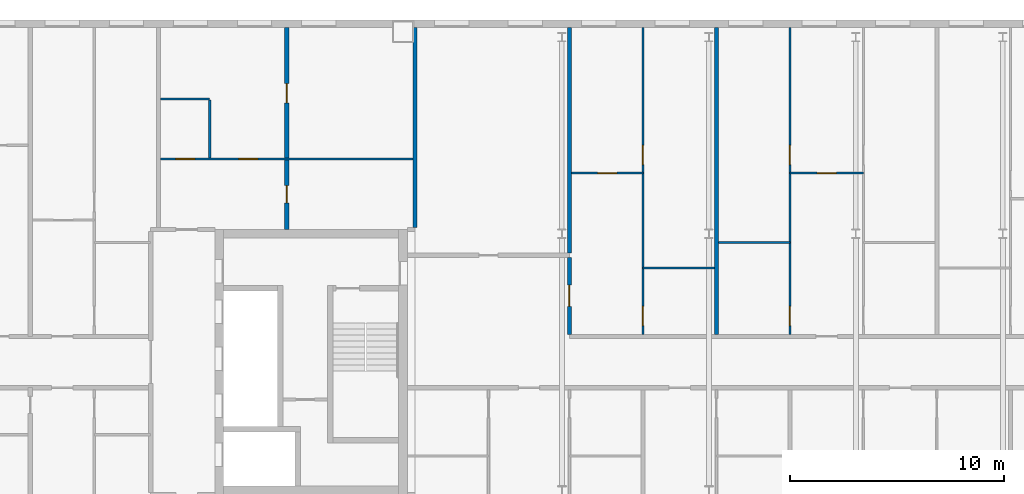
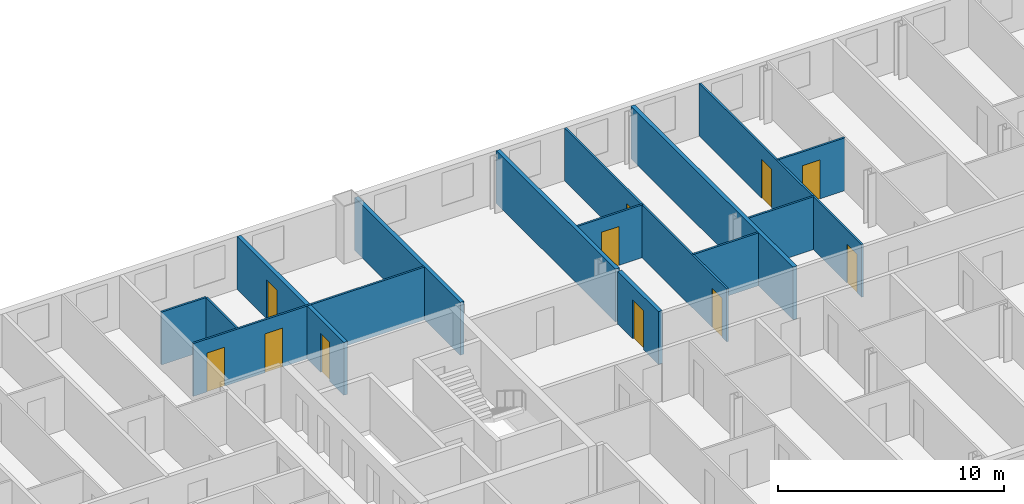
# One storey, part 9 of 19: 14 walls, 11 doors, 11 openings.
"""IFC4 building model written with IfcOpenShell, lengths in metres."""

from ifc_helpers import new_model, si_unit, direction, frame, frame_2d, origin, place, context, subcontext, project, spatial, rectangle, extrude, material, layer, layer_set, type_object, element, fill, save


model = new_model("IFC4")

# Units and contexts
model_context = context("Model", 3, precision=1e-05, world=origin(), true_north=direction((0.0, 1.0)))
body_context = subcontext(model_context, "Body", "Model", "MODEL_VIEW")
ifc_project = project(units=[si_unit("LENGTHUNIT", "METRE"), si_unit("AREAUNIT", "SQUARE_METRE"), si_unit("VOLUMEUNIT", "CUBIC_METRE"), si_unit("PLANEANGLEUNIT", "RADIAN"), si_unit("MASSUNIT", "GRAM", prefix="KILO")], contexts=[model_context])

# Site, building, storey
site_placement = place(None, origin())
site = spatial("IfcSite", under=ifc_project, at=site_placement, CompositionType="ELEMENT")
building_placement = place(site_placement, origin())
building = spatial("IfcBuilding", under=site, at=building_placement, Name="Tuart Gate Housing", CompositionType="ELEMENT")
storey_placement = place(building_placement, frame((0.0, 0.0, 233.800048828125)))
storey = spatial("IfcBuildingStorey", under=building, at=storey_placement, Name="L66", CompositionType="ELEMENT", Elevation=233.800048828125)

# Wall, opening, door
ifc_material_1 = material(Name="Concrete masonry 15 MPa", Category="masonry")
ifc_layer_1 = layer(ifc_material_1, 0.199951171875)
ifc_layer_set_1 = layer_set([ifc_layer_1], Name="Corridor wall masonry 200")
wall_type_1 = type_object("IfcWallType", Name="Corridor wall masonry 200", PredefinedType="PARTITIONING", material=ifc_layer_set_1)
wall_1_placement = place(storey_placement, frame((83.22509765625, 71.300048828125, 0.0), z_axis=(0.0, 0.0, 1.0), x_axis=(0.0, 1.0, 0.0)))
wall_1 = element("IfcWall", 1, at=wall_1_placement, inside=storey, type_object=wall_type_1, Name="Corridor wall masonry 200", PredefinedType="PARTITIONING", context=body_context, shape_type="SweptSolid", body=[
    extrude(rectangle(XDim=3.599853515625, YDim=0.199951171875, at=frame_2d((1.7998046875, 0.0))), origin(), (0.0, 0.0, 1.0), 2.849853515625),
])
opening_1_placement = place(wall_1_placement, frame((1.300048828125, 0.0, 0.0)))
opening_1 = element("IfcOpeningElement", 2, at=opening_1_placement, cuts=wall_1, Name="Opening D2520", PredefinedType="OPENING", context=body_context, shape_type="SweptSolid", body=[
    extrude(rectangle(XDim=1.0, YDim=2.10009765625, at=frame_2d((0.5, 1.050048828125))), frame((0.0, 0.10986328125, 0.0), z_axis=(0.0, -1.0, 0.0), x_axis=(1.0, 0.0, 0.0)), (0.0, 0.0, 1.0), 0.219970703125),
])
ifc_material_2 = material(Name="Timber door leaf in steel frame", Category="steel")
door_type_1 = type_object("IfcDoorType", Name="Flat entrance door 1000 RH", OperationType="SINGLE_SWING_RIGHT", PredefinedType="DOOR", material=ifc_material_2)
door_1_placement = place(opening_1_placement, frame((1.0, 0.0, 0.0), z_axis=(0.0, 0.0, 1.0), x_axis=(-1.0, 0.0, 0.0)))
door_1 = element("IfcDoor", 3, at=door_1_placement, inside=storey, type_object=door_type_1, Name="Flat entrance door", OperationType="SINGLE_SWING_RIGHT", OverallHeight=2.10009765625, OverallWidth=1.0, PredefinedType="DOOR", context=body_context, shape_type="SweptSolid", body=[
    extrude(rectangle(XDim=1.0, YDim=2.10009765625, at=frame_2d((0.5, 1.050048828125))), frame((0.0, 0.025146484375, 0.0), z_axis=(0.0, -1.0, 0.0), x_axis=(1.0, 0.0, 0.0)), (0.0, 0.0, 1.0), 0.050048828125),
])
fill(opening_1, door_1)

# Walls
ifc_material_3 = material(Name="Gypsum board on steel studs", Category="steel")
ifc_layer_2 = layer(ifc_material_3, 0.10009765625)
ifc_layer_set_2 = layer_set([ifc_layer_2], Name="Partition 100")
wall_type_2 = type_object("IfcWallType", Name="Partition 100", PredefinedType="PARTITIONING", material=ifc_layer_set_2)
wall_2_placement = place(storey_placement, frame((86.662109375, 74.39990234375, 0.0), z_axis=(0.0, 0.0, 1.0), x_axis=(1.0, 0.0, 0.0)))
element("IfcWall", 4, at=wall_2_placement, inside=storey, type_object=wall_type_2, Name="Partition 100", PredefinedType="PARTITIONING", context=body_context, shape_type="SweptSolid", body=[
    extrude(rectangle(XDim=3.337890625, YDim=0.10009765625, at=frame_2d((1.6689453125, 0.0))), origin(), (0.0, 0.0, 1.0), 2.849853515625),
])
wall_3_placement = place(storey_placement, frame((90.199951171875, 75.60009765625, 0.0), z_axis=(0.0, 0.0, 1.0), x_axis=(1.0, 0.0, 0.0)))
element("IfcWall", 5, at=wall_3_placement, inside=storey, type_object=wall_type_2, Name="Partition 100", PredefinedType="PARTITIONING", context=body_context, shape_type="SweptSolid", body=[
    extrude(rectangle(XDim=3.337158203125, YDim=0.10009765625, at=frame_2d((1.66845703125, 0.0))), origin(), (0.0, 0.0, 1.0), 2.849853515625),
])

# Wall, opening, door
wall_4_placement = place(storey_placement, frame((83.324951171875, 78.840087890625, 0.0), z_axis=(0.0, 0.0, 1.0), x_axis=(1.0, 0.0, 0.0)))
wall_4 = element("IfcWall", 6, at=wall_4_placement, inside=storey, type_object=wall_type_2, Name="Partition 100", PredefinedType="PARTITIONING", context=body_context, shape_type="SweptSolid", body=[
    extrude(rectangle(XDim=3.337158203125, YDim=0.10009765625, at=frame_2d((1.66845703125, 0.0))), origin(), (0.0, 0.0, 1.0), 2.849853515625),
])
opening_2_placement = place(wall_4_placement, frame((1.218505859375, 0.0, 0.0)))
opening_2 = element("IfcOpeningElement", 7, at=opening_2_placement, cuts=wall_4, Name="Opening D2500", PredefinedType="OPENING", context=body_context, shape_type="SweptSolid", body=[
    extrude(rectangle(XDim=0.89990234375, YDim=2.10009765625, at=frame_2d((0.449951171875, 1.050048828125))), frame((0.0, 0.06005859375, 0.0), z_axis=(0.0, -1.0, 0.0), x_axis=(1.0, 0.0, 0.0)), (0.0, 0.0, 1.0), 0.1201171875),
])
ifc_material_4 = material(Name="Timber door leaf in steel frame", Category="steel")
door_type_2 = type_object("IfcDoorType", Name="Internal door 900", OperationType="SINGLE_SWING_LEFT", PredefinedType="DOOR", material=ifc_material_4)
door_2_placement = place(opening_2_placement, frame((0.89990234375, 0.0, 0.0), z_axis=(0.0, 0.0, 1.0), x_axis=(-1.0, 0.0, 0.0)))
door_2 = element("IfcDoor", 8, at=door_2_placement, inside=storey, type_object=door_type_2, Name="Internal door", OperationType="SINGLE_SWING_LEFT", OverallHeight=2.10009765625, OverallWidth=0.89990234375, PredefinedType="DOOR", context=body_context, shape_type="SweptSolid", body=[
    extrude(rectangle(XDim=0.89990234375, YDim=2.10009765625, at=frame_2d((0.449951171875, 1.050048828125))), frame((0.0, 0.025146484375, 0.0), z_axis=(0.0, -1.0, 0.0), x_axis=(1.0, 0.0, 0.0)), (0.0, 0.0, 1.0), 0.050048828125),
])
fill(opening_2, door_2)

wall_5_placement = place(storey_placement, frame((93.537109375, 78.840087890625, 0.0), z_axis=(0.0, 0.0, 1.0), x_axis=(1.0, 0.0, 0.0)))
wall_5 = element("IfcWall", 9, at=wall_5_placement, inside=storey, type_object=wall_type_2, Name="Partition 100", PredefinedType="PARTITIONING", context=body_context, shape_type="SweptSolid", body=[
    extrude(rectangle(XDim=3.43798828125, YDim=0.10009765625, at=frame_2d((1.718994140625, 0.0))), origin(), (0.0, 0.0, 1.0), 2.849853515625),
])
opening_3_placement = place(wall_5_placement, frame((1.26904296875, 0.0, 0.0)))
opening_3 = element("IfcOpeningElement", 10, at=opening_3_placement, cuts=wall_5, Name="Opening D2501", PredefinedType="OPENING", context=body_context, shape_type="SweptSolid", body=[
    extrude(rectangle(XDim=0.89990234375, YDim=2.10009765625, at=frame_2d((0.449951171875, 1.050048828125))), frame((0.0, 0.06005859375, 0.0), z_axis=(0.0, -1.0, 0.0), x_axis=(1.0, 0.0, 0.0)), (0.0, 0.0, 1.0), 0.1201171875),
])
ifc_material_5 = material(Name="Timber door leaf in steel frame", Category="steel")
door_type_3 = type_object("IfcDoorType", Name="Internal door 900 RH", OperationType="SINGLE_SWING_RIGHT", PredefinedType="DOOR", material=ifc_material_5)
door_3_placement = place(opening_3_placement, frame((0.89990234375, 0.0, 0.0), z_axis=(0.0, 0.0, 1.0), x_axis=(-1.0, 0.0, 0.0)))
door_3 = element("IfcDoor", 11, at=door_3_placement, inside=storey, type_object=door_type_3, Name="Internal door", OperationType="SINGLE_SWING_RIGHT", OverallHeight=2.10009765625, OverallWidth=0.89990234375, PredefinedType="DOOR", context=body_context, shape_type="SweptSolid", body=[
    extrude(rectangle(XDim=0.89990234375, YDim=2.10009765625, at=frame_2d((0.449951171875, 1.050048828125))), frame((0.0, 0.025146484375, 0.0), z_axis=(0.0, -1.0, 0.0), x_axis=(1.0, 0.0, 0.0)), (0.0, 0.0, 1.0), 0.050048828125),
])
fill(opening_3, door_3)

# Wall, openings, doors
wall_6_placement = place(storey_placement, frame((64.10009765625, 79.5, 0.0), z_axis=(0.0, 0.0, 1.0), x_axis=(1.0, 0.0, 0.0)))
wall_6 = element("IfcWall", 12, at=wall_6_placement, inside=storey, type_object=wall_type_2, Name="Partition 100", PredefinedType="PARTITIONING", context=body_context, shape_type="SweptSolid", body=[
    extrude(rectangle(XDim=11.7998046875, YDim=0.10009765625, at=frame_2d((5.89990234375, 0.0))), origin(), (0.0, 0.0, 1.0), 2.849853515625),
])
opening_4_placement = place(wall_6_placement, frame((3.64990234375, 0.0, 0.0)))
opening_4 = element("IfcOpeningElement", 13, at=opening_4_placement, cuts=wall_6, Name="Opening D2451", PredefinedType="OPENING", context=body_context, shape_type="SweptSolid", body=[
    extrude(rectangle(XDim=0.89990234375, YDim=2.10009765625, at=frame_2d((0.449951171875, 1.050048828125))), frame((0.0, 0.06005859375, 0.0), z_axis=(0.0, -1.0, 0.0), x_axis=(1.0, 0.0, 0.0)), (0.0, 0.0, 1.0), 0.1201171875),
])
opening_5_placement = place(wall_6_placement, frame((0.699951171875, 0.0, 0.0)))
opening_5 = element("IfcOpeningElement", 14, at=opening_5_placement, cuts=wall_6, Name="Opening D2450", PredefinedType="OPENING", context=body_context, shape_type="SweptSolid", body=[
    extrude(rectangle(XDim=0.89990234375, YDim=2.10009765625, at=frame_2d((0.449951171875, 1.050048828125))), frame((0.0, 0.06005859375, 0.0), z_axis=(0.0, -1.0, 0.0), x_axis=(1.0, 0.0, 0.0)), (0.0, 0.0, 1.0), 0.1201171875),
])
ifc_material_6 = material(Name="Timber door leaf in steel frame", Category="steel")
door_type_4 = type_object("IfcDoorType", Name="Bathroom door 900 RH", OperationType="SINGLE_SWING_RIGHT", PredefinedType="DOOR", material=ifc_material_6)
door_4_placement = place(opening_5_placement, origin())
door_4 = element("IfcDoor", 15, at=door_4_placement, inside=storey, type_object=door_type_4, Name="Bathroom door", OperationType="SINGLE_SWING_RIGHT", OverallHeight=2.10009765625, OverallWidth=0.89990234375, PredefinedType="DOOR", context=body_context, shape_type="SweptSolid", body=[
    extrude(rectangle(XDim=0.89990234375, YDim=2.10009765625, at=frame_2d((0.449951171875, 1.050048828125))), frame((0.0, 0.02490234375, 0.0), z_axis=(0.0, -1.0, 0.0), x_axis=(1.0, 0.0, 0.0)), (0.0, 0.0, 1.0), 0.050048828125),
])
fill(opening_5, door_4)
door_5_placement = place(opening_4_placement, frame((0.89990234375, 0.0, 0.0), z_axis=(0.0, 0.0, 1.0), x_axis=(-1.0, 0.0, 0.0)))
door_5 = element("IfcDoor", 16, at=door_5_placement, inside=storey, type_object=door_type_2, Name="Internal door", OperationType="SINGLE_SWING_LEFT", OverallHeight=2.10009765625, OverallWidth=0.89990234375, PredefinedType="DOOR", context=body_context, shape_type="SweptSolid", body=[
    extrude(rectangle(XDim=0.89990234375, YDim=2.10009765625, at=frame_2d((0.449951171875, 1.050048828125))), frame((0.0, 0.025146484375, 0.0), z_axis=(0.0, -1.0, 0.0), x_axis=(1.0, 0.0, 0.0)), (0.0, 0.0, 1.0), 0.050048828125),
])
fill(opening_4, door_5)

# Walls
wall_7_placement = place(storey_placement, frame((64.10009765625, 82.300048828125, 0.0), z_axis=(0.0, 0.0, 1.0), x_axis=(1.0, 0.0, 0.0)))
element("IfcWall", 17, at=wall_7_placement, inside=storey, type_object=wall_type_2, Name="Partition 100", PredefinedType="PARTITIONING", context=body_context, shape_type="SweptSolid", body=[
    extrude(rectangle(XDim=2.2998046875, YDim=0.10009765625, at=frame_2d((1.14990234375, 0.0))), origin(), (0.0, 0.0, 1.0), 2.849853515625),
])
wall_8_placement = place(storey_placement, frame((66.39990234375, 79.550048828125, 0.0), z_axis=(0.0, 0.0, 1.0), x_axis=(0.0, 1.0, 0.0)))
element("IfcWall", 18, at=wall_8_placement, inside=storey, type_object=wall_type_2, Name="Partition 100", PredefinedType="PARTITIONING", context=body_context, shape_type="SweptSolid", body=[
    extrude(rectangle(XDim=2.699951171875, YDim=0.10009765625, at=frame_2d((1.35009765625, 0.0))), origin(), (0.0, 0.0, 1.0), 2.849853515625),
])

# Wall, openings, doors
wall_9_placement = place(storey_placement, frame((86.662109375, 71.300048828125, 0.0), z_axis=(0.0, 0.0, 1.0), x_axis=(0.0, 1.0, 0.0)))
wall_9 = element("IfcWall", 19, at=wall_9_placement, inside=storey, type_object=wall_type_2, Name="Partition 100", PredefinedType="PARTITIONING", context=body_context, shape_type="SweptSolid", body=[
    extrude(rectangle(XDim=14.33984375, YDim=0.10009765625, at=frame_2d((7.169921875, 0.0))), origin(), (0.0, 0.0, 1.0), 2.849853515625),
])
opening_6_placement = place(wall_9_placement, frame((7.93994140625, 0.0, 0.0)))
opening_6 = element("IfcOpeningElement", 20, at=opening_6_placement, cuts=wall_9, Name="Opening D2504", PredefinedType="OPENING", context=body_context, shape_type="SweptSolid", body=[
    extrude(rectangle(XDim=0.89990234375, YDim=2.10009765625, at=frame_2d((0.449951171875, 1.050048828125))), frame((0.0, 0.06005859375, 0.0), z_axis=(0.0, -1.0, 0.0), x_axis=(1.0, 0.0, 0.0)), (0.0, 0.0, 1.0), 0.1201171875),
])
opening_7_placement = place(wall_9_placement, frame((0.39990234375, 0.0, 0.0)))
opening_7 = element("IfcOpeningElement", 21, at=opening_7_placement, cuts=wall_9, Name="Opening D2503", PredefinedType="OPENING", context=body_context, shape_type="SweptSolid", body=[
    extrude(rectangle(XDim=0.89990234375, YDim=2.10009765625, at=frame_2d((0.449951171875, 1.050048828125))), frame((0.0, 0.06005859375, 0.0), z_axis=(0.0, -1.0, 0.0), x_axis=(1.0, 0.0, 0.0)), (0.0, 0.0, 1.0), 0.1201171875),
])
door_6_placement = place(opening_7_placement, frame((0.89990234375, 0.0, 0.0), z_axis=(0.0, 0.0, 1.0), x_axis=(-1.0, 0.0, 0.0)))
door_6 = element("IfcDoor", 22, at=door_6_placement, inside=storey, type_object=door_type_4, Name="Bathroom door", OperationType="SINGLE_SWING_RIGHT", OverallHeight=2.10009765625, OverallWidth=0.89990234375, PredefinedType="DOOR", context=body_context, shape_type="SweptSolid", body=[
    extrude(rectangle(XDim=0.89990234375, YDim=2.10009765625, at=frame_2d((0.449951171875, 1.050048828125))), frame((0.0, 0.025146484375, 0.0), z_axis=(0.0, -1.0, 0.0), x_axis=(1.0, 0.0, 0.0)), (0.0, 0.0, 1.0), 0.050048828125),
])
fill(opening_7, door_6)
door_7_placement = place(opening_6_placement, frame((0.89990234375, 0.0, 0.0), z_axis=(0.0, 0.0, 1.0), x_axis=(-1.0, 0.0, 0.0)))
door_7 = element("IfcDoor", 23, at=door_7_placement, inside=storey, type_object=door_type_3, Name="Internal door", OperationType="SINGLE_SWING_RIGHT", OverallHeight=2.10009765625, OverallWidth=0.89990234375, PredefinedType="DOOR", context=body_context, shape_type="SweptSolid", body=[
    extrude(rectangle(XDim=0.89990234375, YDim=2.10009765625, at=frame_2d((0.449951171875, 1.050048828125))), frame((0.0, 0.025146484375, 0.0), z_axis=(0.0, -1.0, 0.0), x_axis=(1.0, 0.0, 0.0)), (0.0, 0.0, 1.0), 0.050048828125),
])
fill(opening_6, door_7)

wall_10_placement = place(storey_placement, frame((93.537109375, 71.300048828125, 0.0), z_axis=(0.0, 0.0, 1.0), x_axis=(0.0, 1.0, 0.0)))
wall_10 = element("IfcWall", 24, at=wall_10_placement, inside=storey, type_object=wall_type_2, Name="Partition 100", PredefinedType="PARTITIONING", context=body_context, shape_type="SweptSolid", body=[
    extrude(rectangle(XDim=14.33984375, YDim=0.10009765625, at=frame_2d((7.169921875, 0.0))), origin(), (0.0, 0.0, 1.0), 2.849853515625),
])
opening_8_placement = place(wall_10_placement, frame((7.93994140625, 0.0, 0.0)))
opening_8 = element("IfcOpeningElement", 25, at=opening_8_placement, cuts=wall_10, Name="Opening D2506", PredefinedType="OPENING", context=body_context, shape_type="SweptSolid", body=[
    extrude(rectangle(XDim=0.89990234375, YDim=2.10009765625, at=frame_2d((0.449951171875, 1.050048828125))), frame((0.0, 0.06005859375, 0.0), z_axis=(0.0, -1.0, 0.0), x_axis=(1.0, 0.0, 0.0)), (0.0, 0.0, 1.0), 0.1201171875),
])
opening_9_placement = place(wall_10_placement, frame((0.39990234375, 0.0, 0.0)))
opening_9 = element("IfcOpeningElement", 26, at=opening_9_placement, cuts=wall_10, Name="Opening D2505", PredefinedType="OPENING", context=body_context, shape_type="SweptSolid", body=[
    extrude(rectangle(XDim=0.89990234375, YDim=2.10009765625, at=frame_2d((0.449951171875, 1.050048828125))), frame((0.0, 0.06005859375, 0.0), z_axis=(0.0, -1.0, 0.0), x_axis=(1.0, 0.0, 0.0)), (0.0, 0.0, 1.0), 0.1201171875),
])
ifc_material_7 = material(Name="Timber door leaf in steel frame", Category="steel")
door_type_5 = type_object("IfcDoorType", Name="Bathroom door 900", OperationType="SINGLE_SWING_LEFT", PredefinedType="DOOR", material=ifc_material_7)
door_8_placement = place(opening_9_placement, origin())
door_8 = element("IfcDoor", 27, at=door_8_placement, inside=storey, type_object=door_type_5, Name="Bathroom door", OperationType="SINGLE_SWING_LEFT", OverallHeight=2.10009765625, OverallWidth=0.89990234375, PredefinedType="DOOR", context=body_context, shape_type="SweptSolid", body=[
    extrude(rectangle(XDim=0.89990234375, YDim=2.10009765625, at=frame_2d((0.449951171875, 1.050048828125))), frame((0.0, 0.02490234375, 0.0), z_axis=(0.0, -1.0, 0.0), x_axis=(1.0, 0.0, 0.0)), (0.0, 0.0, 1.0), 0.050048828125),
])
fill(opening_9, door_8)
door_9_placement = place(opening_8_placement, origin())
door_9 = element("IfcDoor", 28, at=door_9_placement, inside=storey, type_object=door_type_2, Name="Internal door", OperationType="SINGLE_SWING_LEFT", OverallHeight=2.10009765625, OverallWidth=0.89990234375, PredefinedType="DOOR", context=body_context, shape_type="SweptSolid", body=[
    extrude(rectangle(XDim=0.89990234375, YDim=2.10009765625, at=frame_2d((0.449951171875, 1.050048828125))), frame((0.0, 0.02490234375, 0.0), z_axis=(0.0, -1.0, 0.0), x_axis=(1.0, 0.0, 0.0)), (0.0, 0.0, 1.0), 0.050048828125),
])
fill(opening_8, door_9)

ifc_material_8 = material(Name="Concrete C40", Category="concrete")
ifc_layer_3 = layer(ifc_material_8, 0.199951171875)
ifc_layer_set_3 = layer_set([ifc_layer_3], Name="Party wall concrete C40 200")
wall_type_3 = type_object("IfcWallType", Name="Party wall concrete C40 200", PredefinedType="SOLIDWALL", material=ifc_layer_set_3)
wall_11_placement = place(storey_placement, frame((70.0, 76.199951171875, 0.0), z_axis=(0.0, 0.0, 1.0), x_axis=(0.0, 1.0, 0.0)))
wall_11 = element("IfcWall", 29, at=wall_11_placement, inside=storey, type_object=wall_type_3, Name="Party wall concrete C40 200", PredefinedType="SOLIDWALL", context=body_context, shape_type="SweptSolid", body=[
    extrude(rectangle(XDim=9.43994140625, YDim=0.199951171875, at=frame_2d((4.719970703125, 0.0))), origin(), (0.0, 0.0, 1.0), 2.849853515625),
])
opening_10_placement = place(wall_11_placement, frame((5.919921875, 0.0, 0.0)))
opening_10 = element("IfcOpeningElement", 30, at=opening_10_placement, cuts=wall_11, Name="Opening D2445", PredefinedType="OPENING", context=body_context, shape_type="SweptSolid", body=[
    extrude(rectangle(XDim=0.89990234375, YDim=2.10009765625, at=frame_2d((0.449951171875, 1.050048828125))), frame((0.0, 0.10986328125, 0.0), z_axis=(0.0, -1.0, 0.0), x_axis=(1.0, 0.0, 0.0)), (0.0, 0.0, 1.0), 0.219970703125),
])
opening_11_placement = place(wall_11_placement, frame((1.25, 0.0, 0.0)))
opening_11 = element("IfcOpeningElement", 31, at=opening_11_placement, cuts=wall_11, Name="Opening D2446", PredefinedType="OPENING", context=body_context, shape_type="SweptSolid", body=[
    extrude(rectangle(XDim=0.800048828125, YDim=2.10009765625, at=frame_2d((0.39990234375, 1.050048828125))), frame((0.0, 0.10986328125, 0.0), z_axis=(0.0, -1.0, 0.0), x_axis=(1.0, 0.0, 0.0)), (0.0, 0.0, 1.0), 0.219970703125),
])
door_10_placement = place(opening_10_placement, frame((0.89990234375, 0.0, 0.0), z_axis=(0.0, 0.0, 1.0), x_axis=(-1.0, 0.0, 0.0)))
door_10 = element("IfcDoor", 32, at=door_10_placement, inside=storey, type_object=door_type_3, Name="Internal door", OperationType="SINGLE_SWING_RIGHT", OverallHeight=2.10009765625, OverallWidth=0.89990234375, PredefinedType="DOOR", context=body_context, shape_type="SweptSolid", body=[
    extrude(rectangle(XDim=0.89990234375, YDim=2.10009765625, at=frame_2d((0.449951171875, 1.050048828125))), frame((0.0, 0.025146484375, 0.0), z_axis=(0.0, -1.0, 0.0), x_axis=(1.0, 0.0, 0.0)), (0.0, 0.0, 1.0), 0.050048828125),
])
fill(opening_10, door_10)
ifc_material_9 = material(Name="Timber door leaf in steel frame", Category="steel")
door_type_6 = type_object("IfcDoorType", Name="Store door 800 RH", OperationType="SINGLE_SWING_RIGHT", PredefinedType="DOOR", material=ifc_material_9)
door_11_placement = place(opening_11_placement, frame((0.800048828125, 0.0, 0.0), z_axis=(0.0, 0.0, 1.0), x_axis=(-1.0, 0.0, 0.0)))
door_11 = element("IfcDoor", 33, at=door_11_placement, inside=storey, type_object=door_type_6, Name="Store door", OperationType="SINGLE_SWING_RIGHT", OverallHeight=2.10009765625, OverallWidth=0.800048828125, PredefinedType="DOOR", context=body_context, shape_type="SweptSolid", body=[
    extrude(rectangle(XDim=0.800048828125, YDim=2.10009765625, at=frame_2d((0.400146484375, 1.050048828125))), frame((0.0, 0.025146484375, 0.0), z_axis=(0.0, -1.0, 0.0), x_axis=(1.0, 0.0, 0.0)), (0.0, 0.0, 1.0), 0.050048828125),
])
fill(opening_11, door_11)

# Walls
ifc_material_10 = material(Name="Concrete masonry 15 MPa", Category="masonry")
ifc_layer_4 = layer(ifc_material_10, 0.199951171875)
ifc_layer_set_4 = layer_set([ifc_layer_4], Name="Party wall masonry 200")
wall_type_4 = type_object("IfcWallType", Name="Party wall masonry 200", PredefinedType="PARTITIONING", material=ifc_layer_set_4)
wall_12_placement = place(storey_placement, frame((76.0, 76.300048828125, 0.0), z_axis=(0.0, 0.0, 1.0), x_axis=(0.0, 1.0, 0.0)))
element("IfcWall", 34, at=wall_12_placement, inside=storey, type_object=wall_type_4, Name="Party wall masonry 200", PredefinedType="PARTITIONING", context=body_context, shape_type="SweptSolid", body=[
    extrude(rectangle(XDim=9.33984375, YDim=0.199951171875, at=frame_2d((4.669921875, 0.0))), origin(), (0.0, 0.0, 1.0), 2.849853515625),
])
wall_13_placement = place(storey_placement, frame((83.22509765625, 75.10009765625, 0.0), z_axis=(0.0, 0.0, 1.0), x_axis=(0.0, 1.0, 0.0)))
element("IfcWall", 35, at=wall_13_placement, inside=storey, type_object=wall_type_4, Name="Party wall masonry 200", PredefinedType="PARTITIONING", context=body_context, shape_type="SweptSolid", body=[
    extrude(rectangle(XDim=10.539794921875, YDim=0.199951171875, at=frame_2d((5.27001953125, 0.0))), origin(), (0.0, 0.0, 1.0), 2.849853515625),
])
wall_14_placement = place(storey_placement, frame((90.10009765625, 71.300048828125, 0.0), z_axis=(0.0, 0.0, 1.0), x_axis=(0.0, 1.0, 0.0)))
element("IfcWall", 36, at=wall_14_placement, inside=storey, type_object=wall_type_4, Name="Party wall masonry 200", PredefinedType="PARTITIONING", context=body_context, shape_type="SweptSolid", body=[
    extrude(rectangle(XDim=14.33984375, YDim=0.199951171875, at=frame_2d((7.169921875, 0.0))), origin(), (0.0, 0.0, 1.0), 2.849853515625),
])

save(model, "model.ifc")
